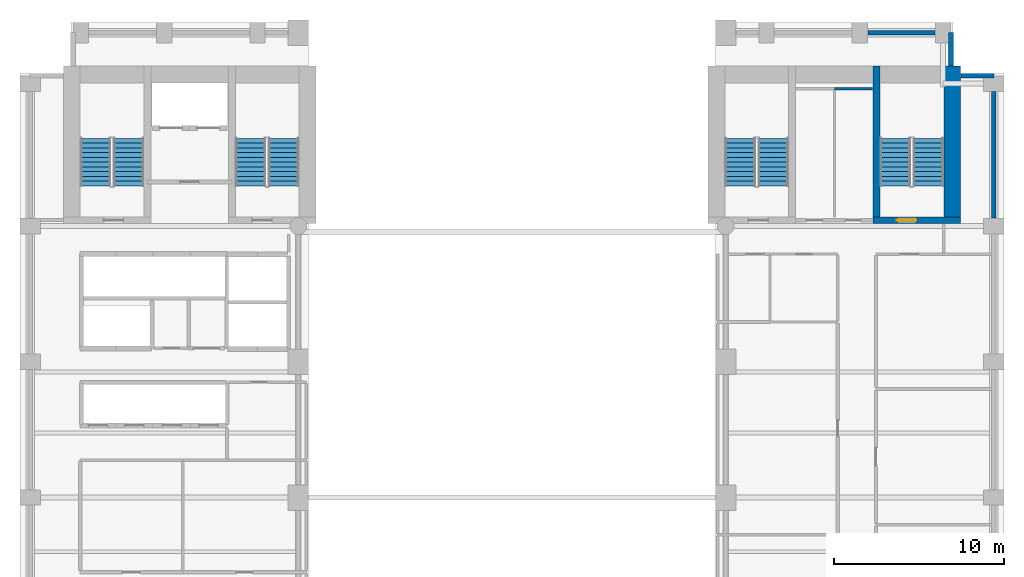
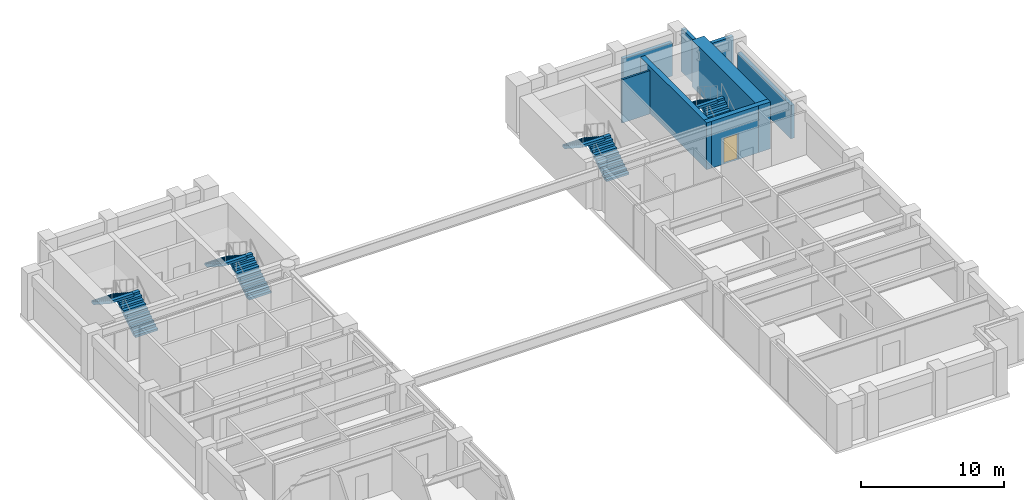
# One storey, part 5 of 7: 8 stair flights, 8 walls, 1 door, 1 opening, 4 elements without a shape of their own.
"""IFC4 building model written with IfcOpenShell, lengths in metres."""

from ifc_helpers import new_model, si_unit, direction, frame, frame_2d, origin, place, context, subcontext, project, spatial, polyline, rectangle, outline, extrude, material, layer, layer_set, type_object, element, fill, aggregate, save


model = new_model("IFC4")

# Units and contexts
model_context = context("Model", 3, precision=1e-05, world=origin(), true_north=direction((0.0, 1.0)))
body_context = subcontext(model_context, "Body", "Model", "MODEL_VIEW")
ifc_project = project(units=[si_unit("LENGTHUNIT", "METRE"), si_unit("AREAUNIT", "SQUARE_METRE"), si_unit("VOLUMEUNIT", "CUBIC_METRE"), si_unit("PLANEANGLEUNIT", "RADIAN"), si_unit("MASSUNIT", "GRAM", prefix="KILO")], contexts=[model_context])

# Site, building, storey
site_placement = place(None, origin())
site = spatial("IfcSite", under=ifc_project, at=site_placement, CompositionType="ELEMENT")
building_placement = place(site_placement, origin())
building = spatial("IfcBuilding", under=site, at=building_placement, Name="Sulina Concourse Tower", CompositionType="ELEMENT")
storey_placement = place(building_placement, frame((0.0, 0.0, 34.60009765625)))
storey = spatial("IfcBuildingStorey", under=building, at=storey_placement, Name="L08", CompositionType="ELEMENT", Elevation=34.60009765625)

# Wall
ifc_material_1 = material(Name="Gypsum board on steel stud", Category="steel")
ifc_layer_1 = layer(ifc_material_1, 0.14990234375)
ifc_layer_set_1 = layer_set([ifc_layer_1], Name="Gypsum board on steel stud")
wall_type_1 = type_object("IfcWallType", Name="Inter-Tenancy Acoustic Partition 150mm", PredefinedType="PARTITIONING", material=ifc_layer_set_1)
wall_1_placement = place(storey_placement, frame((48.0, 42.10009765625, 0.0), z_axis=(0.0, 0.0, 1.0), x_axis=(1.0, 0.0, 0.0)))
element("IfcWall", 1, at=wall_1_placement, inside=storey, type_object=wall_type_1, Name="L08 interior partition 028", PredefinedType="PARTITIONING", context=body_context, shape_type="SweptSolid", body=[
    extrude(rectangle(XDim=2.25, YDim=0.14990234375, at=frame_2d((1.125, 0.0))), origin(), (0.0, 0.0, 1.0), 3.699951171875),
])

# Wall, opening, door
ifc_material_2 = material(Name="Concrete C60/75", Category="concrete")
ifc_layer_2 = layer(ifc_material_2, 0.39990234375)
ifc_layer_set_2 = layer_set([ifc_layer_2], Name="Concrete C60/75")
wall_type_2 = type_object("IfcWallType", Name="Protected Stair Core Shear Wall 400mm", PredefinedType="SHEAR", material=ifc_layer_set_2)
wall_2_placement = place(storey_placement, frame((50.2900390625, 34.35009765625, 0.0), z_axis=(0.0, 0.0, 1.0), x_axis=(1.0, 0.0, 0.0)))
wall_2 = element("IfcWall", 2, at=wall_2_placement, inside=storey, type_object=wall_type_2, Name="L08 east core shear wall CW-ES2", PredefinedType="SHEAR", context=body_context, shape_type="SweptSolid", body=[
    extrude(rectangle(XDim=5.159912109375, YDim=0.39990234375, at=frame_2d((2.580078125, 0.0))), origin(), (0.0, 0.0, 1.0), 4.0),
])
opening_placement = place(wall_2_placement, frame((1.39990234375, 0.0, 0.0)))
opening = element("IfcOpeningElement", 3, at=opening_placement, cuts=wall_2, Name="Opening DR-60", PredefinedType="OPENING", context=body_context, shape_type="SweptSolid", body=[
    extrude(rectangle(XDim=1.14990234375, YDim=2.199951171875, at=frame_2d((0.574951171875, 1.10009765625))), frame((0.0, 0.2099609375, 0.0), z_axis=(0.0, -1.0, 0.0), x_axis=(1.0, 0.0, 0.0)), (0.0, 0.0, 1.0), 0.419921875),
])
ifc_material_3 = material(Name="Galvanised steel acoustic fire leaf", Category="steel")
ifc_layer_3 = layer(ifc_material_3, 0.054931640625)
ifc_layer_set_3 = layer_set([ifc_layer_3], Name="Galvanised steel acoustic fire leaf")
door_type = type_object("IfcDoorType", Name="Protected Exit Stair Fire Door 1150x2200", OperationType="NOTDEFINED", PredefinedType="DOOR", material=ifc_layer_set_3)
door_placement = place(opening_placement, origin())
door = element("IfcDoor", 4, at=door_placement, inside=storey, type_object=door_type, Name="L08 stair ST-4 south lobby fire door", OperationType="SINGLE_SWING_LEFT", OverallHeight=2.199951171875, OverallWidth=1.14990234375, PredefinedType="DOOR", context=body_context, shape_type="SweptSolid", body=[
    extrude(rectangle(XDim=1.14990234375, YDim=2.199951171875, at=frame_2d((0.574951171875, 1.10009765625))), frame((0.0, 0.02490234375, 0.0), z_axis=(0.0, -1.0, 0.0), x_axis=(1.0, 0.0, 0.0)), (0.0, 0.0, 1.0), 0.050048828125),
])
fill(opening, door)

# Walls
wall_3_placement = place(storey_placement, frame((50.489990234375, 34.14990234375, 0.0), z_axis=(0.0, 0.0, 1.0), x_axis=(0.0, 1.0, 0.0)))
element("IfcWall", 5, at=wall_3_placement, inside=storey, type_object=wall_type_2, Name="L08 east core shear wall SW-ST4", PredefinedType="SHEAR", context=body_context, shape_type="SweptSolid", body=[
    extrude(rectangle(XDim=9.280029296875, YDim=0.39990234375, at=frame_2d((4.64013671875, 0.0))), origin(), (0.0, 0.0, 1.0), 4.0),
])
ifc_material_4 = material(Name="Concrete C80/95", Category="concrete")
ifc_layer_4 = layer(ifc_material_4, 1.0)
ifc_layer_set_4 = layer_set([ifc_layer_4], Name="Concrete C80/95")
wall_type_3 = type_object("IfcWallType", Name="Rear Core Shear Wall 1000mm", PredefinedType="SHEAR", material=ifc_layer_set_4)
wall_4_placement = place(storey_placement, frame((54.949951171875, 34.14990234375, 0.0), z_axis=(0.0, 0.0, 1.0), x_axis=(0.0, 1.0, 0.0)))
element("IfcWall", 6, at=wall_4_placement, inside=storey, type_object=wall_type_3, Name="L08 east core shear wall CW-EE", PredefinedType="SHEAR", context=body_context, shape_type="SweptSolid", body=[
    extrude(rectangle(XDim=9.280029296875, YDim=1.0, at=frame_2d((4.64013671875, 0.0))), origin(), (0.0, 0.0, 1.0), 4.0),
])
ifc_material_5 = material(Name="Precast concrete C50/60", Category="concrete")
ifc_layer_5 = layer(ifc_material_5, 0.280029296875)
ifc_layer_set_5 = layer_set([ifc_layer_5], Name="Precast concrete C50/60")
wall_type_4 = type_object("IfcWallType", Name="Typical Precast Masonry-Frame Facade Wall 280mm", PredefinedType="SOLIDWALL", material=ifc_layer_set_5)
wall_5_placement = place(storey_placement, frame((49.969970703125, 45.39990234375, 0.0), z_axis=(0.0, 0.0, 1.0), x_axis=(1.0, 0.0, 0.0)))
element("IfcWall", 7, at=wall_5_placement, inside=storey, type_object=wall_type_4, Name="L08 exterior precast wall N7", PredefinedType="SOLIDWALL", context=body_context, shape_type="SweptSolid", body=[
    extrude(rectangle(XDim=3.9599609375, YDim=0.280029296875, at=frame_2d((1.97998046875, 0.0))), origin(), (0.0, 0.0, 1.0), 2.849853515625),
])
wall_6_placement = place(storey_placement, frame((57.39990234375, 41.929931640625, 0.0), z_axis=(0.0, 0.0, 1.0), x_axis=(0.0, -1.0, 0.0)))
element("IfcWall", 8, at=wall_6_placement, inside=storey, type_object=wall_type_4, Name="L08 exterior precast wall E5", PredefinedType="SOLIDWALL", context=body_context, shape_type="SweptSolid", body=[
    extrude(rectangle(XDim=7.4599609375, YDim=0.280029296875, at=frame_2d((3.72998046875, 0.0))), origin(), (0.0, 0.0, 1.0), 2.849853515625),
])
wall_7_placement = place(storey_placement, frame((54.8701171875, 45.39990234375, 0.0), z_axis=(0.0, 0.0, 1.0), x_axis=(0.0, -1.0, 0.0)))
element("IfcWall", 9, at=wall_7_placement, inside=storey, type_object=wall_type_4, Name="L08 exterior precast wall CNE1", PredefinedType="SOLIDWALL", context=body_context, shape_type="SweptSolid", body=[
    extrude(rectangle(XDim=1.96484375, YDim=0.280029296875, at=frame_2d((0.982421875, 0.0))), origin(), (0.0, 0.0, 1.0), 3.699951171875),
])
wall_8_placement = place(storey_placement, frame((55.455078125, 42.8701171875, 0.0), z_axis=(0.0, 0.0, 1.0), x_axis=(1.0, 0.0, 0.0)))
element("IfcWall", 10, at=wall_8_placement, inside=storey, type_object=wall_type_4, Name="L08 exterior precast wall CNE2", PredefinedType="SOLIDWALL", context=body_context, shape_type="SweptSolid", body=[
    extrude(rectangle(XDim=1.94482421875, YDim=0.280029296875, at=frame_2d((0.972412109375, 0.0))), origin(), (0.0, 0.0, 1.0), 3.699951171875),
])

# Stair, stair flights
ifc_material_6 = material(Name="Concrete C50/60", Category="concrete")
stair_type_1 = type_object("IfcStairType", Name="Portal & Podium Core Exit Stair 1820mm", PredefinedType="HALF_TURN_STAIR", material=ifc_material_6)
stair_1_placement = place(storey_placement, origin())
stair_1 = element("IfcStair", 11, at=stair_1_placement, inside=storey, type_object=stair_type_1, Name="L08 ST-3", PredefinedType="HALF_TURN_STAIR")
ifc_material_7 = material(Name="Concrete C50/60", Category="concrete")
stair_flight_type_1 = type_object("IfcStairFlightType", Name="Portal & Podium Core Exit Stair 1820mm Flight", PredefinedType="STRAIGHT", material=ifc_material_7)
stair_flight_1_placement = place(storey_placement, frame((44.405029296875, 36.375, 0.0), z_axis=(0.0, 0.0, 1.0), x_axis=(0.0, 1.0, 0.0)))
stair_flight_1 = element("IfcStairFlight", 12, at=stair_flight_1_placement, type_object=stair_flight_type_1, Name="ST-3 flight 1", NumberOfRisers=11, NumberOfTreads=10, PredefinedType="STRAIGHT", RiserHeight=0.181818182, TreadLength=0.28, context=body_context, shape_type="SweptSolid", body=[
    extrude(outline(polyline([(0.0, 0.0), (0.0, 0.181884765625), (0.280029296875, 0.181884765625), (0.280029296875, 0.363525390625), (0.56005859375, 0.363525390625), (0.56005859375, 0.54541015625), (0.840087890625, 0.54541015625), (0.840087890625, 0.727294921875), (1.1201171875, 0.727294921875), (1.1201171875, 0.9091796875), (1.39990234375, 0.9091796875), (1.39990234375, 1.0908203125), (1.679931640625, 1.0908203125), (1.679931640625, 1.272705078125), (1.9599609375, 1.272705078125), (1.9599609375, 1.45458984375), (2.239990234375, 1.45458984375), (2.239990234375, 1.636474609375), (2.52001953125, 1.636474609375), (2.52001953125, 1.818115234375), (2.800048828125, 1.818115234375), (2.800048828125, 2.0), (2.800048828125, 1.603759765625), (0.330322265625, 0.0), (0.0, 0.0)])), frame((0.0, 0.89990234375, 0.0), z_axis=(0.0, -1.0, 0.0), x_axis=(1.0, 0.0, 0.0)), (0.0, 0.0, 1.0), 1.800048828125),
])
stair_flight_2_placement = place(storey_placement, frame((42.455078125, 39.175048828125, 2.0), z_axis=(0.0, 0.0, 1.0), x_axis=(0.0, -1.0, 0.0)))
stair_flight_2 = element("IfcStairFlight", 13, at=stair_flight_2_placement, type_object=stair_flight_type_1, Name="ST-3 flight 2", NumberOfRisers=11, NumberOfTreads=10, PredefinedType="STRAIGHT", RiserHeight=0.181818182, TreadLength=0.28, context=body_context, shape_type="SweptSolid", body=[
    extrude(outline(polyline([(0.0, 0.0), (0.0, 0.181884765625), (0.280029296875, 0.181884765625), (0.280029296875, 0.363525390625), (0.56005859375, 0.363525390625), (0.56005859375, 0.54541015625), (0.840087890625, 0.54541015625), (0.840087890625, 0.727294921875), (1.1201171875, 0.727294921875), (1.1201171875, 0.9091796875), (1.39990234375, 0.9091796875), (1.39990234375, 1.0908203125), (1.679931640625, 1.0908203125), (1.679931640625, 1.272705078125), (1.9599609375, 1.272705078125), (1.9599609375, 1.45458984375), (2.239990234375, 1.45458984375), (2.239990234375, 1.636474609375), (2.52001953125, 1.636474609375), (2.52001953125, 1.818115234375), (2.800048828125, 1.818115234375), (2.800048828125, 2.0), (2.800048828125, 1.603759765625), (0.330322265625, 0.0), (0.0, 0.0)])), frame((0.0, 0.89990234375, 0.0), z_axis=(0.0, -1.0, 0.0), x_axis=(1.0, 0.0, 0.0)), (0.0, 0.0, 1.0), 1.800048828125),
])
aggregate(stair_1, [stair_flight_1, stair_flight_2])

stair_2_placement = place(storey_placement, origin())
stair_2 = element("IfcStair", 14, at=stair_2_placement, inside=storey, type_object=stair_type_1, Name="L08 ST-4", PredefinedType="HALF_TURN_STAIR")
stair_flight_3_placement = place(storey_placement, frame((53.544921875, 36.375, 0.0), z_axis=(0.0, 0.0, 1.0), x_axis=(0.0, 1.0, 0.0)))
stair_flight_3 = element("IfcStairFlight", 15, at=stair_flight_3_placement, type_object=stair_flight_type_1, Name="ST-4 flight 1", NumberOfRisers=11, NumberOfTreads=10, PredefinedType="STRAIGHT", RiserHeight=0.181818182, TreadLength=0.28, context=body_context, shape_type="SweptSolid", body=[
    extrude(outline(polyline([(0.0, 0.0), (0.0, 0.181884765625), (0.280029296875, 0.181884765625), (0.280029296875, 0.363525390625), (0.56005859375, 0.363525390625), (0.56005859375, 0.54541015625), (0.840087890625, 0.54541015625), (0.840087890625, 0.727294921875), (1.1201171875, 0.727294921875), (1.1201171875, 0.9091796875), (1.39990234375, 0.9091796875), (1.39990234375, 1.0908203125), (1.679931640625, 1.0908203125), (1.679931640625, 1.272705078125), (1.9599609375, 1.272705078125), (1.9599609375, 1.45458984375), (2.239990234375, 1.45458984375), (2.239990234375, 1.636474609375), (2.52001953125, 1.636474609375), (2.52001953125, 1.818115234375), (2.800048828125, 1.818115234375), (2.800048828125, 2.0), (2.800048828125, 1.603759765625), (0.330322265625, 0.0), (0.0, 0.0)])), frame((0.0, 0.89990234375, 0.0), z_axis=(0.0, -1.0, 0.0), x_axis=(1.0, 0.0, 0.0)), (0.0, 0.0, 1.0), 1.800048828125),
])
stair_flight_4_placement = place(storey_placement, frame((51.594970703125, 39.175048828125, 2.0), z_axis=(0.0, 0.0, 1.0), x_axis=(0.0, -1.0, 0.0)))
stair_flight_4 = element("IfcStairFlight", 16, at=stair_flight_4_placement, type_object=stair_flight_type_1, Name="ST-4 flight 2", NumberOfRisers=11, NumberOfTreads=10, PredefinedType="STRAIGHT", RiserHeight=0.181818182, TreadLength=0.28, context=body_context, shape_type="SweptSolid", body=[
    extrude(outline(polyline([(0.0, 0.0), (0.0, 0.181884765625), (0.280029296875, 0.181884765625), (0.280029296875, 0.363525390625), (0.56005859375, 0.363525390625), (0.56005859375, 0.54541015625), (0.840087890625, 0.54541015625), (0.840087890625, 0.727294921875), (1.1201171875, 0.727294921875), (1.1201171875, 0.9091796875), (1.39990234375, 0.9091796875), (1.39990234375, 1.0908203125), (1.679931640625, 1.0908203125), (1.679931640625, 1.272705078125), (1.9599609375, 1.272705078125), (1.9599609375, 1.45458984375), (2.239990234375, 1.45458984375), (2.239990234375, 1.636474609375), (2.52001953125, 1.636474609375), (2.52001953125, 1.818115234375), (2.800048828125, 1.818115234375), (2.800048828125, 2.0), (2.800048828125, 1.603759765625), (0.330322265625, 0.0), (0.0, 0.0)])), frame((0.0, 0.89990234375, 0.0), z_axis=(0.0, -1.0, 0.0), x_axis=(1.0, 0.0, 0.0)), (0.0, 0.0, 1.0), 1.800048828125),
])
aggregate(stair_2, [stair_flight_3, stair_flight_4])

ifc_material_8 = material(Name="Concrete C50/60", Category="concrete")
stair_type_2 = type_object("IfcStairType", Name="Primary Core Dog-Leg Exit Stair 1800mm", PredefinedType="HALF_TURN_STAIR", material=ifc_material_8)
stair_3_placement = place(storey_placement, origin())
stair_3 = element("IfcStair", 17, at=stair_3_placement, inside=storey, type_object=stair_type_2, Name="L08 ST-1", PredefinedType="HALF_TURN_STAIR")
ifc_material_9 = material(Name="Concrete C50/60", Category="concrete")
stair_flight_type_2 = type_object("IfcStairFlightType", Name="Primary Core Dog-Leg Exit Stair 1800mm Flight", PredefinedType="STRAIGHT", material=ifc_material_9)
stair_flight_5_placement = place(storey_placement, frame((6.405029296875, 36.375, 0.0), z_axis=(0.0, 0.0, 1.0), x_axis=(0.0, 1.0, 0.0)))
stair_flight_5 = element("IfcStairFlight", 18, at=stair_flight_5_placement, type_object=stair_flight_type_2, Name="ST-1 flight 1", NumberOfRisers=11, NumberOfTreads=10, PredefinedType="STRAIGHT", RiserHeight=0.181818182, TreadLength=0.28, context=body_context, shape_type="SweptSolid", body=[
    extrude(outline(polyline([(0.0, 0.0), (0.0, 0.181884765625), (0.280029296875, 0.181884765625), (0.280029296875, 0.363525390625), (0.56005859375, 0.363525390625), (0.56005859375, 0.54541015625), (0.840087890625, 0.54541015625), (0.840087890625, 0.727294921875), (1.1201171875, 0.727294921875), (1.1201171875, 0.9091796875), (1.39990234375, 0.9091796875), (1.39990234375, 1.0908203125), (1.679931640625, 1.0908203125), (1.679931640625, 1.272705078125), (1.9599609375, 1.272705078125), (1.9599609375, 1.45458984375), (2.239990234375, 1.45458984375), (2.239990234375, 1.636474609375), (2.52001953125, 1.636474609375), (2.52001953125, 1.818115234375), (2.800048828125, 1.818115234375), (2.800048828125, 2.0), (2.800048828125, 1.603759765625), (0.330322265625, 0.0), (0.0, 0.0)])), frame((0.0, 0.89990234375, 0.0), z_axis=(0.0, -1.0, 0.0), x_axis=(1.0, 0.0, 0.0)), (0.0, 0.0, 1.0), 1.800048828125),
])
stair_flight_6_placement = place(storey_placement, frame((4.455078125, 39.175048828125, 2.0), z_axis=(0.0, 0.0, 1.0), x_axis=(0.0, -1.0, 0.0)))
stair_flight_6 = element("IfcStairFlight", 19, at=stair_flight_6_placement, type_object=stair_flight_type_2, Name="ST-1 flight 2", NumberOfRisers=11, NumberOfTreads=10, PredefinedType="STRAIGHT", RiserHeight=0.181818182, TreadLength=0.28, context=body_context, shape_type="SweptSolid", body=[
    extrude(outline(polyline([(0.0, 0.0), (0.0, 0.181884765625), (0.280029296875, 0.181884765625), (0.280029296875, 0.363525390625), (0.56005859375, 0.363525390625), (0.56005859375, 0.54541015625), (0.840087890625, 0.54541015625), (0.840087890625, 0.727294921875), (1.1201171875, 0.727294921875), (1.1201171875, 0.9091796875), (1.39990234375, 0.9091796875), (1.39990234375, 1.0908203125), (1.679931640625, 1.0908203125), (1.679931640625, 1.272705078125), (1.9599609375, 1.272705078125), (1.9599609375, 1.45458984375), (2.239990234375, 1.45458984375), (2.239990234375, 1.636474609375), (2.52001953125, 1.636474609375), (2.52001953125, 1.818115234375), (2.800048828125, 1.818115234375), (2.800048828125, 2.0), (2.800048828125, 1.603759765625), (0.330322265625, 0.0), (0.0, 0.0)])), frame((0.0, 0.89990234375, 0.0), z_axis=(0.0, -1.0, 0.0), x_axis=(1.0, 0.0, 0.0)), (0.0, 0.0, 1.0), 1.800048828125),
])
aggregate(stair_3, [stair_flight_5, stair_flight_6])

stair_4_placement = place(storey_placement, origin())
stair_4 = element("IfcStair", 20, at=stair_4_placement, inside=storey, type_object=stair_type_2, Name="L08 ST-2", PredefinedType="HALF_TURN_STAIR")
stair_flight_7_placement = place(storey_placement, frame((15.544921875, 36.375, 0.0), z_axis=(0.0, 0.0, 1.0), x_axis=(0.0, 1.0, 0.0)))
stair_flight_7 = element("IfcStairFlight", 21, at=stair_flight_7_placement, type_object=stair_flight_type_2, Name="ST-2 flight 1", NumberOfRisers=11, NumberOfTreads=10, PredefinedType="STRAIGHT", RiserHeight=0.181818182, TreadLength=0.28, context=body_context, shape_type="SweptSolid", body=[
    extrude(outline(polyline([(0.0, 0.0), (0.0, 0.181884765625), (0.280029296875, 0.181884765625), (0.280029296875, 0.363525390625), (0.56005859375, 0.363525390625), (0.56005859375, 0.54541015625), (0.840087890625, 0.54541015625), (0.840087890625, 0.727294921875), (1.1201171875, 0.727294921875), (1.1201171875, 0.9091796875), (1.39990234375, 0.9091796875), (1.39990234375, 1.0908203125), (1.679931640625, 1.0908203125), (1.679931640625, 1.272705078125), (1.9599609375, 1.272705078125), (1.9599609375, 1.45458984375), (2.239990234375, 1.45458984375), (2.239990234375, 1.636474609375), (2.52001953125, 1.636474609375), (2.52001953125, 1.818115234375), (2.800048828125, 1.818115234375), (2.800048828125, 2.0), (2.800048828125, 1.603759765625), (0.330322265625, 0.0), (0.0, 0.0)])), frame((0.0, 0.89990234375, 0.0), z_axis=(0.0, -1.0, 0.0), x_axis=(1.0, 0.0, 0.0)), (0.0, 0.0, 1.0), 1.800048828125),
])
stair_flight_8_placement = place(storey_placement, frame((13.594970703125, 39.175048828125, 2.0), z_axis=(0.0, 0.0, 1.0), x_axis=(0.0, -1.0, 0.0)))
stair_flight_8 = element("IfcStairFlight", 22, at=stair_flight_8_placement, type_object=stair_flight_type_2, Name="ST-2 flight 2", NumberOfRisers=11, NumberOfTreads=10, PredefinedType="STRAIGHT", RiserHeight=0.181818182, TreadLength=0.28, context=body_context, shape_type="SweptSolid", body=[
    extrude(outline(polyline([(0.0, 0.0), (0.0, 0.181884765625), (0.280029296875, 0.181884765625), (0.280029296875, 0.363525390625), (0.56005859375, 0.363525390625), (0.56005859375, 0.54541015625), (0.840087890625, 0.54541015625), (0.840087890625, 0.727294921875), (1.1201171875, 0.727294921875), (1.1201171875, 0.9091796875), (1.39990234375, 0.9091796875), (1.39990234375, 1.0908203125), (1.679931640625, 1.0908203125), (1.679931640625, 1.272705078125), (1.9599609375, 1.272705078125), (1.9599609375, 1.45458984375), (2.239990234375, 1.45458984375), (2.239990234375, 1.636474609375), (2.52001953125, 1.636474609375), (2.52001953125, 1.818115234375), (2.800048828125, 1.818115234375), (2.800048828125, 2.0), (2.800048828125, 1.603759765625), (0.330322265625, 0.0), (0.0, 0.0)])), frame((0.0, 0.89990234375, 0.0), z_axis=(0.0, -1.0, 0.0), x_axis=(1.0, 0.0, 0.0)), (0.0, 0.0, 1.0), 1.800048828125),
])
aggregate(stair_4, [stair_flight_7, stair_flight_8])

save(model, "model.ifc")
